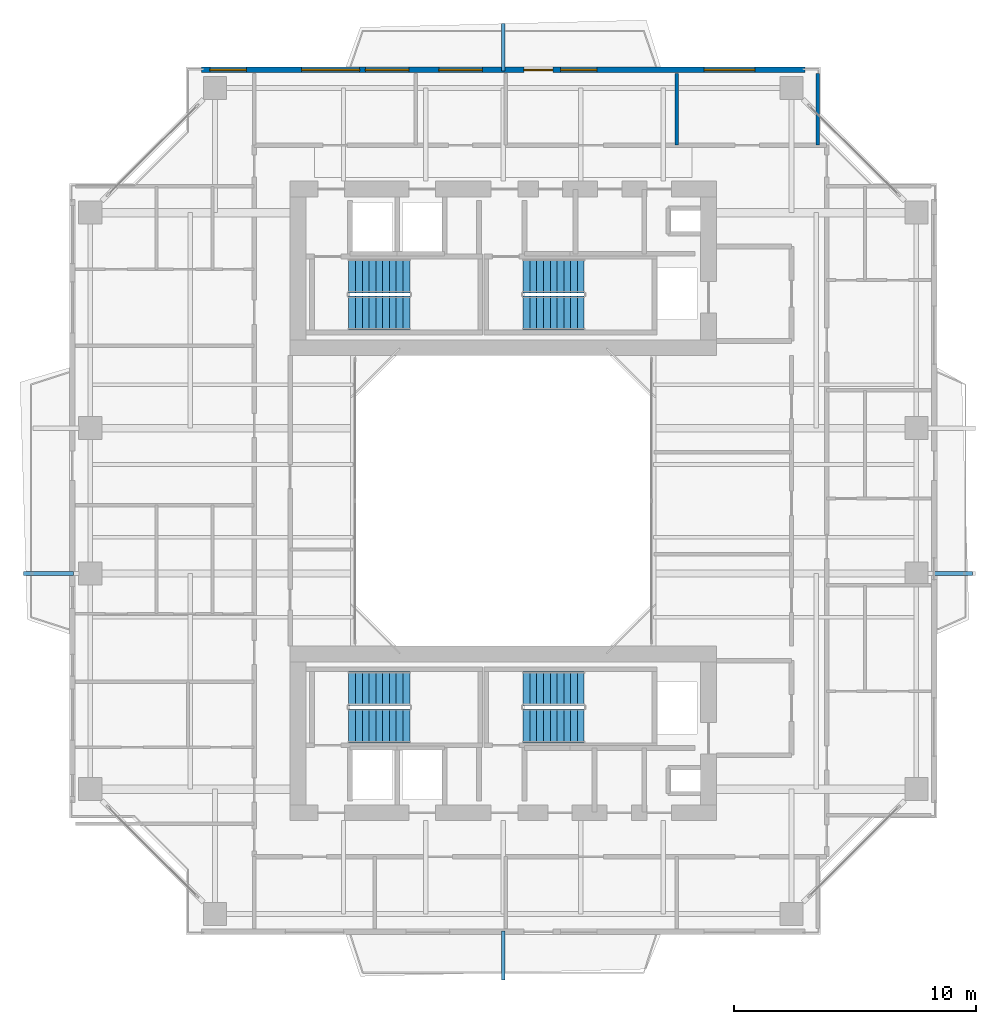
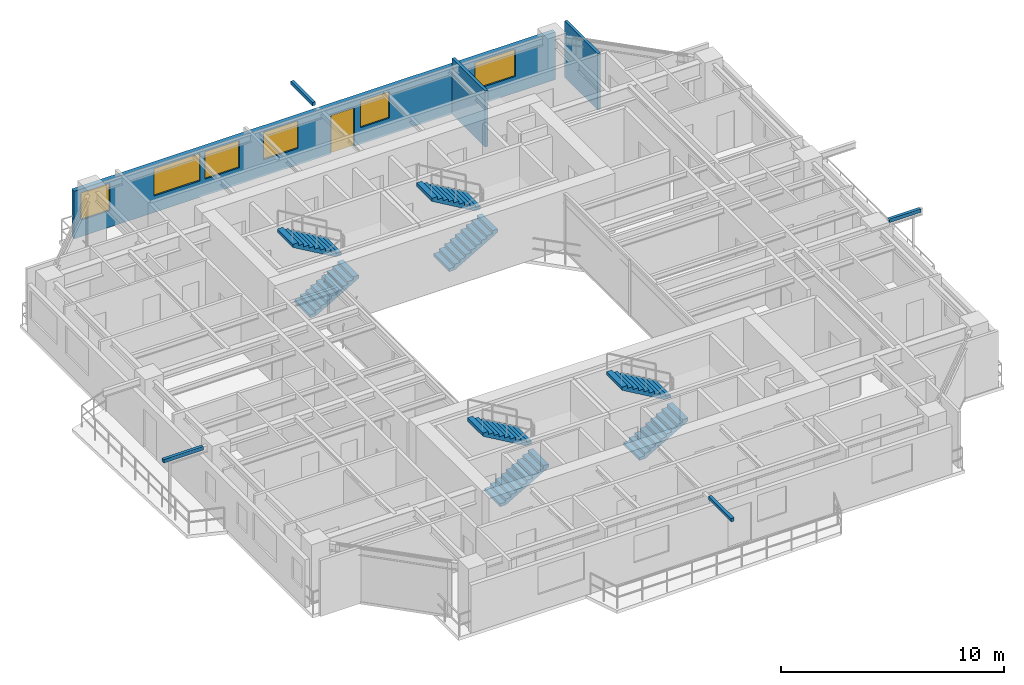
# One storey, part 15 of 18: 8 stair flights, 6 windows, 4 discrete accessories, 3 walls, 1 door, 7 openings, 4 elements without a shape of their own.
"""IFC4 building model written with IfcOpenShell, lengths in metres."""

from ifc_helpers import new_model, si_unit, direction, frame, frame_2d, origin, origin_2d, place, context, subcontext, project, spatial, polyline, rectangle, outline, extrude, source, transform, mapped, material, layer, layer_set, type_object, element, fill, aggregate, save


model = new_model("IFC4")

# Units and contexts
model_context = context("Model", 3, precision=1e-05, world=origin(), true_north=direction((0.0, 1.0)))
body_context = subcontext(model_context, "Body", "Model", "MODEL_VIEW")
ifc_project = project(units=[si_unit("LENGTHUNIT", "METRE"), si_unit("AREAUNIT", "SQUARE_METRE"), si_unit("VOLUMEUNIT", "CUBIC_METRE"), si_unit("PLANEANGLEUNIT", "RADIAN"), si_unit("MASSUNIT", "GRAM", prefix="KILO"), si_unit("THERMODYNAMICTEMPERATUREUNIT", "KELVIN"), si_unit("POWERUNIT", "WATT")], contexts=[model_context])

# Site, building, storey
site_placement = place(None, origin())
site = spatial("IfcSite", under=ifc_project, at=site_placement, CompositionType="ELEMENT")
building_placement = place(site_placement, origin())
building = spatial("IfcBuilding", under=site, at=building_placement, Name="Qiaomeng Ring Towers", CompositionType="ELEMENT")
storey_placement = place(building_placement, frame((0.0, 0.0, 179.5)))
storey = spatial("IfcBuildingStorey", under=building, at=storey_placement, Name="L52", CompositionType="ELEMENT", Elevation=179.5)

# Wall, openings, windows, door
ifc_material_1 = material(Name="Precast concrete C40", Category="concrete")
ifc_layer_1 = layer(ifc_material_1, 0.219970703125, Name="Precast concrete C40")
ifc_layer_set_1 = layer_set([ifc_layer_1], Name="Precast concrete C40")
wall_type_1 = type_object("IfcWallType", Name="ARC-WL-EW2", PredefinedType="STANDARD", material=ifc_layer_set_1)
wall_placement = place(storey_placement, frame((6.550048828125, 40.7900390625, 0.0), z_axis=(0.0, 0.0, 1.0), x_axis=(1.0, 0.0, 0.0)))
wall = element("IfcWall", 1, at=wall_placement, inside=storey, type_object=wall_type_1, Name="L52 Tower 1 N Exterior Wall", PredefinedType="STANDARD", context=body_context, shape_type="SweptSolid", body=[
    extrude(rectangle(XDim=24.89990234375, YDim=0.219970703125, at=frame_2d((12.449951171875, 0.0))), origin(), (0.0, 0.0, 1.0), 2.610107421875),
])
opening_1_placement = place(wall_placement, frame((13.300048828125, 0.0, 0.0)))
opening_1 = element("IfcOpeningElement", 2, at=opening_1_placement, cuts=wall, Name="Opening BD1", PredefinedType="OPENING", context=body_context, shape_type="SweptSolid", body=[
    extrude(rectangle(XDim=1.199951171875, YDim=2.10009765625, at=frame_2d((0.60009765625, 1.050048828125))), frame((0.0, 0.119873046875, 0.0), z_axis=(0.0, -1.0, 0.0), x_axis=(1.0, 0.0, 0.0)), (0.0, 0.0, 1.0), 0.239990234375),
])
opening_2_placement = place(wall_placement, frame((0.342529296875, 0.0, 0.89990234375)))
opening_2 = element("IfcOpeningElement", 3, at=opening_2_placement, cuts=wall, Name="Opening WN2", PredefinedType="OPENING", context=body_context, shape_type="SweptSolid", body=[
    extrude(rectangle(XDim=1.5, YDim=1.5, at=frame_2d((0.75, 0.75))), frame((0.0, 0.119873046875, 0.0), z_axis=(0.0, -1.0, 0.0), x_axis=(1.0, 0.0, 0.0)), (0.0, 0.0, 1.0), 0.239990234375),
])
opening_3_placement = place(wall_placement, frame((9.7900390625, 0.0, 0.89990234375)))
opening_3 = element("IfcOpeningElement", 4, at=opening_3_placement, cuts=wall, Name="Opening WN1", PredefinedType="OPENING", context=body_context, shape_type="SweptSolid", body=[
    extrude(rectangle(XDim=1.800048828125, YDim=1.5, at=frame_2d((0.89990234375, 0.75))), frame((0.0, 0.119873046875, 0.0), z_axis=(0.0, -1.0, 0.0), x_axis=(1.0, 0.0, 0.0)), (0.0, 0.0, 1.0), 0.239990234375),
])
opening_4_placement = place(wall_placement, frame((14.81298828125, 0.0, 0.89990234375)))
opening_4 = element("IfcOpeningElement", 5, at=opening_4_placement, cuts=wall, Name="Opening WN2", PredefinedType="OPENING", context=body_context, shape_type="SweptSolid", body=[
    extrude(rectangle(XDim=1.5, YDim=1.449951171875, at=frame_2d((0.75, 0.72509765625))), frame((0.0, 0.119873046875, 0.0), z_axis=(0.0, -1.0, 0.0), x_axis=(1.0, 0.0, 0.0)), (0.0, 0.0, 1.0), 0.239990234375),
])
opening_5_placement = place(wall_placement, frame((20.738037109375, 0.0, 0.89990234375)))
opening_5 = element("IfcOpeningElement", 6, at=opening_5_placement, cuts=wall, Name="Opening WN4", PredefinedType="OPENING", context=body_context, shape_type="SweptSolid", body=[
    extrude(rectangle(XDim=2.10009765625, YDim=1.47998046875, at=frame_2d((1.050048828125, 0.739990234375))), frame((0.0, 0.119873046875, 0.0), z_axis=(0.0, -1.0, 0.0), x_axis=(1.0, 0.0, 0.0)), (0.0, 0.0, 1.0), 0.239990234375),
])
opening_6_placement = place(wall_placement, frame((4.12158203125, 0.0, 0.89990234375)))
opening_6 = element("IfcOpeningElement", 7, at=opening_6_placement, cuts=wall, Name="Opening WN6", PredefinedType="OPENING", context=body_context, shape_type="SweptSolid", body=[
    extrude(rectangle(XDim=2.39990234375, YDim=1.5, at=frame_2d((1.199951171875, 0.75))), frame((0.0, 0.119873046875, 0.0), z_axis=(0.0, -1.0, 0.0), x_axis=(1.0, 0.0, 0.0)), (0.0, 0.0, 1.0), 0.239990234375),
])
opening_7_placement = place(wall_placement, frame((6.75830078125, 0.0, 0.89990234375)))
opening_7 = element("IfcOpeningElement", 8, at=opening_7_placement, cuts=wall, Name="Opening WN1", PredefinedType="OPENING", context=body_context, shape_type="SweptSolid", body=[
    extrude(rectangle(XDim=1.800048828125, YDim=1.5, at=frame_2d((0.89990234375, 0.75))), frame((0.0, 0.119873046875, 0.0), z_axis=(0.0, -1.0, 0.0), x_axis=(1.0, 0.0, 0.0)), (0.0, 0.0, 1.0), 0.239990234375),
])
ifc_material_2 = material(Name="Low-E dark-grey laminated double glazing", Category="glass")
window_type_1 = type_object("IfcWindowType", Name="ARC-WN-2", PartitioningType="DOUBLE_PANEL_VERTICAL", PredefinedType="WINDOW", material=ifc_material_2)
shared_shape_1 = source(origin(), body_context, "Body", "SweptSolid", [
    extrude(rectangle(XDim=1.5, YDim=1.449951171875, at=frame_2d((0.75, 0.72509765625))), frame((0.0, 0.030029296875, 0.0), z_axis=(0.0, -1.0, 0.0), x_axis=(1.0, 0.0, 0.0)), (0.0, 0.0, 1.0), 0.06005859375),
])
window_1_placement = place(opening_4_placement, origin())
window_1 = element("IfcWindow", 9, at=window_1_placement, inside=storey, type_object=window_type_1, Name="L52 Exterior Window WN2", OverallHeight=1.449951171875, OverallWidth=1.5, PartitioningType="DOUBLE_PANEL_VERTICAL", PredefinedType="WINDOW", context=body_context, shape_type="MappedRepresentation", body=[
    mapped(shared_shape_1, transform((0.0, 0.0, 0.0), x_axis=(1.0, 0.0, 0.0), y_axis=(0.0, 1.0, 0.0), z_axis=(0.0, 0.0, 1.0), scale=1.0)),
])
fill(opening_4, window_1)
window_type_2 = type_object("IfcWindowType", Name="ARC-WN-4", PartitioningType="TRIPLE_PANEL_VERTICAL", PredefinedType="WINDOW", material=ifc_material_2)
shared_shape_2 = source(origin(), body_context, "Body", "SweptSolid", [
    extrude(rectangle(XDim=2.10009765625, YDim=1.47998046875, at=frame_2d((1.050048828125, 0.739990234375))), frame((0.0, 0.030029296875, 0.0), z_axis=(0.0, -1.0, 0.0), x_axis=(1.0, 0.0, 0.0)), (0.0, 0.0, 1.0), 0.06005859375),
])
window_2_placement = place(opening_5_placement, origin())
window_2 = element("IfcWindow", 10, at=window_2_placement, inside=storey, type_object=window_type_2, Name="L52 Exterior Window WN4", OverallHeight=1.47998046875, OverallWidth=2.10009765625, PartitioningType="TRIPLE_PANEL_VERTICAL", PredefinedType="WINDOW", context=body_context, shape_type="MappedRepresentation", body=[
    mapped(shared_shape_2, transform((0.0, 0.0, 0.0), x_axis=(1.0, 0.0, 0.0), y_axis=(0.0, 1.0, 0.0), z_axis=(0.0, 0.0, 1.0), scale=1.0)),
])
fill(opening_5, window_2)
door_type = type_object("IfcDoorType", Name="ARC-DR-BD1", OperationType="NOTDEFINED", PredefinedType="DOOR", material=ifc_material_2)
shared_shape_3 = source(origin(), body_context, "Body", "SweptSolid", [
    extrude(rectangle(XDim=1.199951171875, YDim=2.10009765625, at=frame_2d((0.60009765625, 1.050048828125))), frame((0.0, 0.02490234375, 0.0), z_axis=(0.0, -1.0, 0.0), x_axis=(1.0, 0.0, 0.0)), (0.0, 0.0, 1.0), 0.050048828125),
])
door_placement = place(opening_1_placement, origin())
door = element("IfcDoor", 11, at=door_placement, inside=storey, type_object=door_type, Name="L52 N Balcony Glazed Door", OperationType="SINGLE_SWING_LEFT", OverallHeight=2.10009765625, OverallWidth=1.199951171875, PredefinedType="DOOR", context=body_context, shape_type="MappedRepresentation", body=[
    mapped(shared_shape_3, transform((0.0, 0.0, 0.0), x_axis=(1.0, 0.0, 0.0), y_axis=(0.0, 1.0, 0.0), z_axis=(0.0, 0.0, 1.0), scale=1.0)),
])
fill(opening_1, door)
shared_shape_4 = source(origin(), body_context, "Body", "SweptSolid", [
    extrude(rectangle(XDim=1.5, YDim=1.5, at=frame_2d((0.75, 0.75))), frame((0.0, 0.030029296875, 0.0), z_axis=(0.0, -1.0, 0.0), x_axis=(1.0, 0.0, 0.0)), (0.0, 0.0, 1.0), 0.06005859375),
])
window_3_placement = place(opening_2_placement, origin())
window_3 = element("IfcWindow", 12, at=window_3_placement, inside=storey, type_object=window_type_1, Name="L52 Exterior Window WN6", OverallHeight=1.5, OverallWidth=1.5, PartitioningType="TRIPLE_PANEL_VERTICAL", PredefinedType="WINDOW", context=body_context, shape_type="MappedRepresentation", body=[
    mapped(shared_shape_4, transform((0.0, 0.0, 0.0), x_axis=(1.0, 0.0, 0.0), y_axis=(0.0, 1.0, 0.0), z_axis=(0.0, 0.0, 1.0), scale=1.0)),
])
fill(opening_2, window_3)
window_type_3 = type_object("IfcWindowType", Name="ARC-WN-6", PartitioningType="TRIPLE_PANEL_VERTICAL", PredefinedType="WINDOW", material=ifc_material_2)
shared_shape_5 = source(origin(), body_context, "Body", "SweptSolid", [
    extrude(rectangle(XDim=2.39990234375, YDim=1.5, at=frame_2d((1.199951171875, 0.75))), frame((0.0, 0.030029296875, 0.0), z_axis=(0.0, -1.0, 0.0), x_axis=(1.0, 0.0, 0.0)), (0.0, 0.0, 1.0), 0.06005859375),
])
window_4_placement = place(opening_6_placement, origin())
window_4 = element("IfcWindow", 13, at=window_4_placement, inside=storey, type_object=window_type_3, Name="L52 Exterior Window WN6", OverallHeight=1.5, OverallWidth=2.39990234375, PartitioningType="TRIPLE_PANEL_VERTICAL", PredefinedType="WINDOW", context=body_context, shape_type="MappedRepresentation", body=[
    mapped(shared_shape_5, transform((0.0, 0.0, 0.0), x_axis=(1.0, 0.0, 0.0), y_axis=(0.0, 1.0, 0.0), z_axis=(0.0, 0.0, 1.0), scale=1.0)),
])
fill(opening_6, window_4)
window_type_4 = type_object("IfcWindowType", Name="ARC-WN-1", PartitioningType="DOUBLE_PANEL_VERTICAL", PredefinedType="WINDOW", material=ifc_material_2)
shared_shape_6 = source(origin(), body_context, "Body", "SweptSolid", [
    extrude(rectangle(XDim=1.800048828125, YDim=1.5, at=frame_2d((0.89990234375, 0.75))), frame((0.0, 0.030029296875, 0.0), z_axis=(0.0, -1.0, 0.0), x_axis=(1.0, 0.0, 0.0)), (0.0, 0.0, 1.0), 0.06005859375),
])
window_5_placement = place(opening_3_placement, origin())
window_5 = element("IfcWindow", 14, at=window_5_placement, inside=storey, type_object=window_type_4, Name="L52 Exterior Window WN1", OverallHeight=1.5, OverallWidth=1.800048828125, PartitioningType="DOUBLE_PANEL_VERTICAL", PredefinedType="WINDOW", context=body_context, shape_type="MappedRepresentation", body=[
    mapped(shared_shape_6, transform((0.0, 0.0, 0.0), x_axis=(1.0, 0.0, 0.0), y_axis=(0.0, 1.0, 0.0), z_axis=(0.0, 0.0, 1.0), scale=1.0)),
])
fill(opening_3, window_5)
window_6_placement = place(opening_7_placement, origin())
window_6 = element("IfcWindow", 15, at=window_6_placement, inside=storey, type_object=window_type_4, Name="L52 Exterior Window WN1", OverallHeight=1.5, OverallWidth=1.800048828125, PartitioningType="DOUBLE_PANEL_VERTICAL", PredefinedType="WINDOW", context=body_context, shape_type="MappedRepresentation", body=[
    mapped(shared_shape_6, transform((0.0, 0.0, 0.0), x_axis=(1.0, 0.0, 0.0), y_axis=(0.0, 1.0, 0.0), z_axis=(0.0, 0.0, 1.0), scale=1.0)),
])
fill(opening_7, window_6)

# Walls
ifc_material_3 = material(Name="Gypsum fireboard steel-stud partition", Category="steel")
ifc_layer_2 = layer(ifc_material_3, 0.14990234375, Name="Gypsum fireboard steel-stud partition")
ifc_layer_set_2 = layer_set([ifc_layer_2], Name="Gypsum fireboard steel-stud partition")
wall_type_2 = type_object("IfcWallType", Name="ARC-WL-PW3", PredefinedType="PARTITIONING", material=ifc_layer_set_2)
for number, where, z_axis, x_axis, name in (
    (16, (26.159912109375, 37.679931640625, 0.0), (0.0, 0.0, 1.0), (0.0, 1.0, 0.0), "L52 Interior Wall PW3"),
    (17, (31.97998046875, 37.679931640625, 0.0), (0.0, 0.0, 1.0), (0.0, 1.0, 0.0), "L52 Interior Wall PW3"),
):
    element("IfcWall", number, at=place(storey_placement, frame(where, z_axis=z_axis, x_axis=x_axis)), inside=storey, type_object=wall_type_2, Name=name, PredefinedType="PARTITIONING", context=body_context, shape_type="SweptSolid", body=[
        extrude(rectangle(XDim=2.969970703125, YDim=0.14990234375, at=frame_2d((1.48486328125, 0.0))), origin(), (0.0, 0.0, 1.0), 3.070068359375),
    ])

# Stair, stair flights
stair_type = type_object("IfcStairType", Name="ARC-ST-325", PredefinedType="HALF_TURN_STAIR", material=ifc_material_1)
stair_1_placement = place(storey_placement, origin())
stair_1 = element("IfcStair", 18, at=stair_1_placement, inside=storey, type_object=stair_type, Name="L52 Tower 1 North Stair 1", PredefinedType="HALF_TURN_STAIR")
stair_flight_type = type_object("IfcStairFlightType", Name="ARC-ST-325-FL", PredefinedType="STRAIGHT", material=ifc_material_1)
shared_shape_7 = source(origin(), body_context, "Body", "SweptSolid", [
    extrude(outline(polyline([(0.0, 0.0), (0.0, 0.16259765625), (0.280029296875, 0.16259765625), (0.280029296875, 0.324951171875), (0.56005859375, 0.324951171875), (0.56005859375, 0.487548828125), (0.840087890625, 0.487548828125), (0.840087890625, 0.64990234375), (1.1201171875, 0.64990234375), (1.1201171875, 0.8125), (1.39990234375, 0.8125), (1.39990234375, 0.97509765625), (1.679931640625, 0.97509765625), (1.679931640625, 1.137451171875), (1.9599609375, 1.137451171875), (1.9599609375, 1.300048828125), (2.239990234375, 1.300048828125), (2.239990234375, 1.46240234375), (2.52001953125, 1.46240234375), (2.52001953125, 1.625), (2.52001953125, 1.2890625), (0.298583984375, 0.0), (0.0, 0.0)])), frame((0.0, 0.699951171875, 0.0), z_axis=(0.0, -1.0, 0.0), x_axis=(1.0, 0.0, 0.0)), (0.0, 0.0, 1.0), 1.39990234375),
])
stair_flight_1_placement = place(storey_placement, frame((12.6201171875, 30.75, 0.0), z_axis=(0.0, 0.0, 1.0), x_axis=(1.0, 0.0, 0.0)))
stair_flight_1 = element("IfcStairFlight", 19, at=stair_flight_1_placement, type_object=stair_flight_type, Name="ST1 flight 1", NumberOfRisers=10, NumberOfTreads=9, PredefinedType="STRAIGHT", RiserHeight=0.1625, TreadLength=0.28, context=body_context, shape_type="MappedRepresentation", body=[
    mapped(shared_shape_7, transform((0.0, 0.0, 0.0), x_axis=(1.0, 0.0, 0.0), y_axis=(0.0, 1.0, 0.0), z_axis=(0.0, 0.0, 1.0), scale=1.0)),
])
stair_flight_2_placement = place(storey_placement, frame((15.139892578125, 32.2900390625, 1.625), z_axis=(0.0, 0.0, 1.0), x_axis=(-1.0, 0.0, 0.0)))
stair_flight_2 = element("IfcStairFlight", 20, at=stair_flight_2_placement, type_object=stair_flight_type, Name="ST1 flight 2", NumberOfRisers=10, NumberOfTreads=9, PredefinedType="STRAIGHT", RiserHeight=0.1625, TreadLength=0.28, context=body_context, shape_type="MappedRepresentation", body=[
    mapped(shared_shape_7, transform((0.0, 0.0, 0.0), x_axis=(1.0, 0.0, 0.0), y_axis=(0.0, 1.0, 0.0), z_axis=(0.0, 0.0, 1.0), scale=1.0)),
])
aggregate(stair_1, [stair_flight_1, stair_flight_2])

stair_2_placement = place(storey_placement, origin())
stair_2 = element("IfcStair", 21, at=stair_2_placement, inside=storey, type_object=stair_type, Name="L52 Tower 1 North Stair 2", PredefinedType="HALF_TURN_STAIR")
stair_flight_3_placement = place(storey_placement, frame((19.820068359375, 30.75, 0.0), z_axis=(0.0, 0.0, 1.0), x_axis=(1.0, 0.0, 0.0)))
stair_flight_3 = element("IfcStairFlight", 22, at=stair_flight_3_placement, type_object=stair_flight_type, Name="ST2 flight 1", NumberOfRisers=10, NumberOfTreads=9, PredefinedType="STRAIGHT", RiserHeight=0.1625, TreadLength=0.28, context=body_context, shape_type="MappedRepresentation", body=[
    mapped(shared_shape_7, transform((0.0, 0.0, 0.0), x_axis=(1.0, 0.0, 0.0), y_axis=(0.0, 1.0, 0.0), z_axis=(0.0, 0.0, 1.0), scale=1.0)),
])
stair_flight_4_placement = place(storey_placement, frame((22.340087890625, 32.2900390625, 1.625), z_axis=(0.0, 0.0, 1.0), x_axis=(-1.0, 0.0, 0.0)))
stair_flight_4 = element("IfcStairFlight", 23, at=stair_flight_4_placement, type_object=stair_flight_type, Name="ST2 flight 2", NumberOfRisers=10, NumberOfTreads=9, PredefinedType="STRAIGHT", RiserHeight=0.1625, TreadLength=0.28, context=body_context, shape_type="MappedRepresentation", body=[
    mapped(shared_shape_7, transform((0.0, 0.0, 0.0), x_axis=(1.0, 0.0, 0.0), y_axis=(0.0, 1.0, 0.0), z_axis=(0.0, 0.0, 1.0), scale=1.0)),
])
aggregate(stair_2, [stair_flight_3, stair_flight_4])

stair_3_placement = place(storey_placement, origin())
stair_3 = element("IfcStair", 24, at=stair_3_placement, inside=storey, type_object=stair_type, Name="L52 Tower 1 South Stair 3", PredefinedType="HALF_TURN_STAIR")
stair_flight_5_placement = place(storey_placement, frame((12.6201171875, 13.7099609375, 0.0), z_axis=(0.0, 0.0, 1.0), x_axis=(1.0, 0.0, 0.0)))
stair_flight_5 = element("IfcStairFlight", 25, at=stair_flight_5_placement, type_object=stair_flight_type, Name="ST3 flight 1", NumberOfRisers=10, NumberOfTreads=9, PredefinedType="STRAIGHT", RiserHeight=0.1625, TreadLength=0.28, context=body_context, shape_type="MappedRepresentation", body=[
    mapped(shared_shape_7, transform((0.0, 0.0, 0.0), x_axis=(1.0, 0.0, 0.0), y_axis=(0.0, 1.0, 0.0), z_axis=(0.0, 0.0, 1.0), scale=1.0)),
])
stair_flight_6_placement = place(storey_placement, frame((15.139892578125, 15.25, 1.625), z_axis=(0.0, 0.0, 1.0), x_axis=(-1.0, 0.0, 0.0)))
stair_flight_6 = element("IfcStairFlight", 26, at=stair_flight_6_placement, type_object=stair_flight_type, Name="ST3 flight 2", NumberOfRisers=10, NumberOfTreads=9, PredefinedType="STRAIGHT", RiserHeight=0.1625, TreadLength=0.28, context=body_context, shape_type="MappedRepresentation", body=[
    mapped(shared_shape_7, transform((0.0, 0.0, 0.0), x_axis=(1.0, 0.0, 0.0), y_axis=(0.0, 1.0, 0.0), z_axis=(0.0, 0.0, 1.0), scale=1.0)),
])
aggregate(stair_3, [stair_flight_5, stair_flight_6])

stair_4_placement = place(storey_placement, origin())
stair_4 = element("IfcStair", 27, at=stair_4_placement, inside=storey, type_object=stair_type, Name="L52 Tower 1 South Stair 4", PredefinedType="HALF_TURN_STAIR")
stair_flight_7_placement = place(storey_placement, frame((19.820068359375, 13.7099609375, 0.0), z_axis=(0.0, 0.0, 1.0), x_axis=(1.0, 0.0, 0.0)))
stair_flight_7 = element("IfcStairFlight", 28, at=stair_flight_7_placement, type_object=stair_flight_type, Name="ST4 flight 1", NumberOfRisers=10, NumberOfTreads=9, PredefinedType="STRAIGHT", RiserHeight=0.1625, TreadLength=0.28, context=body_context, shape_type="MappedRepresentation", body=[
    mapped(shared_shape_7, transform((0.0, 0.0, 0.0), x_axis=(1.0, 0.0, 0.0), y_axis=(0.0, 1.0, 0.0), z_axis=(0.0, 0.0, 1.0), scale=1.0)),
])
stair_flight_8_placement = place(storey_placement, frame((22.340087890625, 15.25, 1.625), z_axis=(0.0, 0.0, 1.0), x_axis=(-1.0, 0.0, 0.0)))
stair_flight_8 = element("IfcStairFlight", 29, at=stair_flight_8_placement, type_object=stair_flight_type, Name="ST4 flight 2", NumberOfRisers=10, NumberOfTreads=9, PredefinedType="STRAIGHT", RiserHeight=0.1625, TreadLength=0.28, context=body_context, shape_type="MappedRepresentation", body=[
    mapped(shared_shape_7, transform((0.0, 0.0, 0.0), x_axis=(1.0, 0.0, 0.0), y_axis=(0.0, 1.0, 0.0), z_axis=(0.0, 0.0, 1.0), scale=1.0)),
])
aggregate(stair_4, [stair_flight_7, stair_flight_8])

# Discrete accessories
ifc_material_4 = material(Name="Stainless steel 316", Category="steel")
discrete_accessory_type = type_object("IfcDiscreteAccessoryType", Name="ARC-ACC-BRACKET", PredefinedType="BRACKET", material=ifc_material_4)
shared_shape_8 = source(origin(), body_context, "Body", "SweptSolid", [
    extrude(rectangle(XDim=0.159912109375, YDim=2.030029296875, at=origin_2d()), origin(), (0.0, 0.0, 1.0), 0.179931640625),
])
discrete_accessory_1_placement = place(storey_placement, frame((19.0, 4.235107421875, 2.89990234375), z_axis=(0.0, 0.0, 1.0), x_axis=(1.0, 0.0, 0.0)))
element("IfcDiscreteAccessory", 30, at=discrete_accessory_1_placement, inside=storey, type_object=discrete_accessory_type, Name="L52 Stainless Outer-Skin Tie Bracket S", PredefinedType="BRACKET", context=body_context, shape_type="MappedRepresentation", body=[
    mapped(shared_shape_8, transform((0.0, 0.0, 0.0), x_axis=(1.0, 0.0, 0.0), y_axis=(0.0, 1.0, 0.0), z_axis=(0.0, 0.0, 1.0), scale=1.0)),
])
shared_shape_9 = source(origin(), body_context, "Body", "SweptSolid", [
    extrude(rectangle(XDim=1.6298828125, YDim=0.159912109375, at=origin_2d()), origin(), (0.0, 0.0, 1.0), 0.179931640625),
])
discrete_accessory_2_placement = place(storey_placement, frame((37.56494140625, 20.0, 2.89990234375), z_axis=(0.0, 0.0, 1.0), x_axis=(1.0, 0.0, 0.0)))
element("IfcDiscreteAccessory", 31, at=discrete_accessory_2_placement, inside=storey, type_object=discrete_accessory_type, Name="L52 Stainless Outer-Skin Tie Bracket E", PredefinedType="BRACKET", context=body_context, shape_type="MappedRepresentation", body=[
    mapped(shared_shape_9, transform((0.0, 0.0, 0.0), x_axis=(1.0, 0.0, 0.0), y_axis=(0.0, 1.0, 0.0), z_axis=(0.0, 0.0, 1.0), scale=1.0)),
])
shared_shape_10 = source(origin(), body_context, "Body", "SweptSolid", [
    extrude(rectangle(XDim=0.159912109375, YDim=1.949951171875, at=origin_2d()), origin(), (0.0, 0.0, 1.0), 0.179931640625),
])
discrete_accessory_3_placement = place(storey_placement, frame((19.0, 41.72509765625, 2.89990234375), z_axis=(0.0, 0.0, 1.0), x_axis=(1.0, 0.0, 0.0)))
element("IfcDiscreteAccessory", 32, at=discrete_accessory_3_placement, inside=storey, type_object=discrete_accessory_type, Name="L52 Stainless Outer-Skin Tie Bracket N", PredefinedType="BRACKET", context=body_context, shape_type="MappedRepresentation", body=[
    mapped(shared_shape_10, transform((0.0, 0.0, 0.0), x_axis=(1.0, 0.0, 0.0), y_axis=(0.0, 1.0, 0.0), z_axis=(0.0, 0.0, 1.0), scale=1.0)),
])
shared_shape_11 = source(origin(), body_context, "Body", "SweptSolid", [
    extrude(rectangle(XDim=2.050048828125, YDim=0.159912109375, at=origin_2d()), origin(), (0.0, 0.0, 1.0), 0.179931640625),
])
discrete_accessory_4_placement = place(storey_placement, frame((0.22509765625, 20.0, 2.89990234375), z_axis=(0.0, 0.0, 1.0), x_axis=(1.0, 0.0, 0.0)))
element("IfcDiscreteAccessory", 33, at=discrete_accessory_4_placement, inside=storey, type_object=discrete_accessory_type, Name="L52 Stainless Outer-Skin Tie Bracket W", PredefinedType="BRACKET", context=body_context, shape_type="MappedRepresentation", body=[
    mapped(shared_shape_11, transform((0.0, 0.0, 0.0), x_axis=(1.0, 0.0, 0.0), y_axis=(0.0, 1.0, 0.0), z_axis=(0.0, 0.0, 1.0), scale=1.0)),
])

save(model, "model.ifc")
